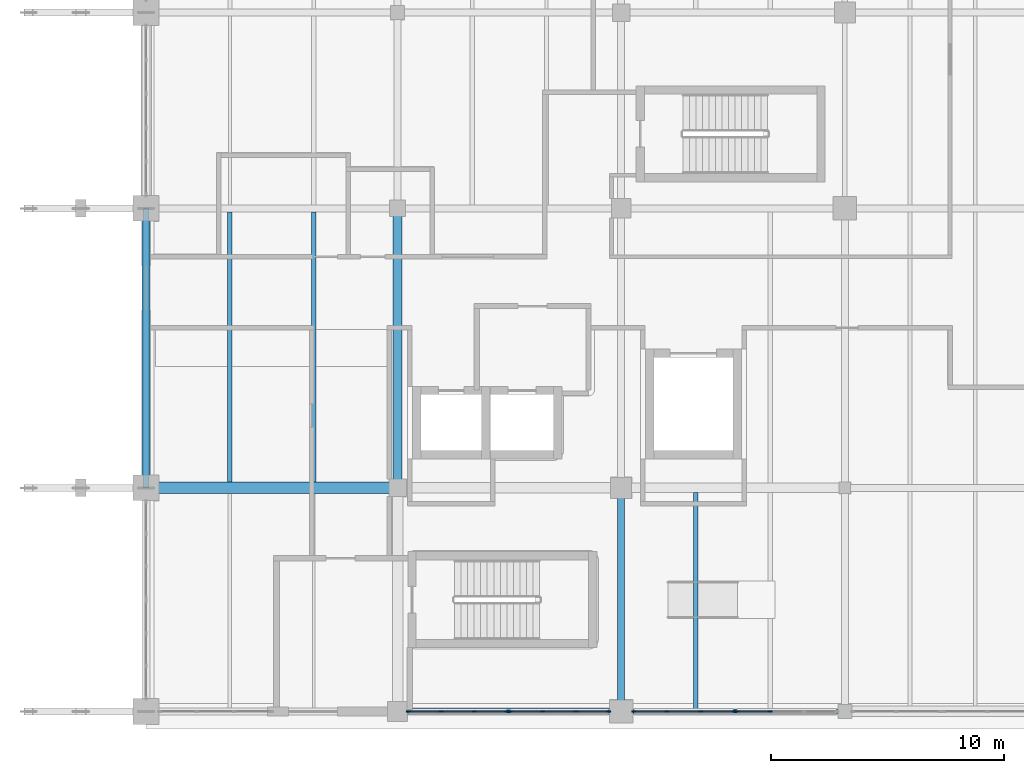
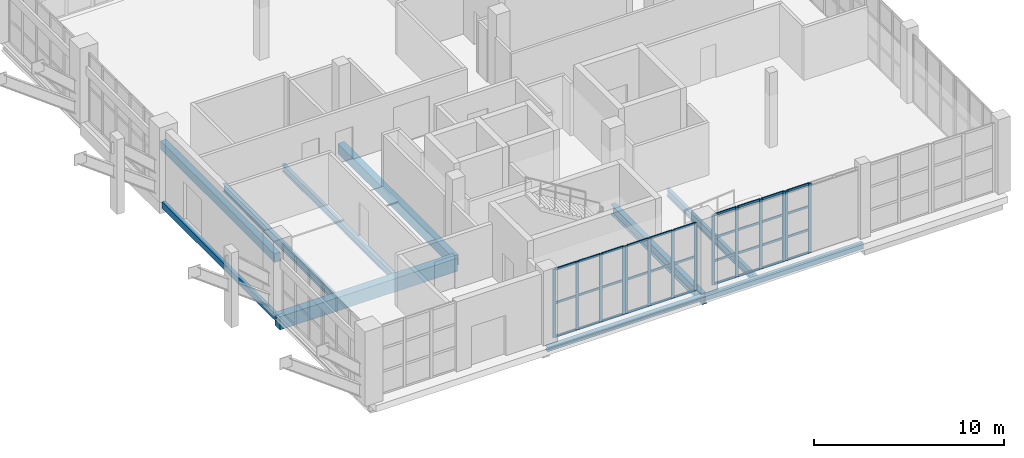
# One storey, part 5 of 121: 48 members, 10 beams, 4 elements without a shape of their own.
"""IFC4 building model written with IfcOpenShell, lengths in metres."""

from ifc_helpers import new_model, si_unit, direction, frame, origin, origin_2d, place, context, subcontext, project, spatial, rectangle, hollow_rectangle, i_section, extrude, material, layer, layer_set, material_profile, profile_set, type_object, element, aggregate, save


model = new_model("IFC4")

# Units and contexts
model_context = context("Model", 3, precision=1e-05, world=origin(), true_north=direction((0.0, 1.0)))
body_context = subcontext(model_context, "Body", "Model", "MODEL_VIEW")
ifc_project = project(units=[si_unit("LENGTHUNIT", "METRE"), si_unit("AREAUNIT", "SQUARE_METRE"), si_unit("VOLUMEUNIT", "CUBIC_METRE"), si_unit("PLANEANGLEUNIT", "RADIAN"), si_unit("MASSUNIT", "GRAM", prefix="KILO")], contexts=[model_context])

# Site, building, storey
site_placement = place(None, origin())
site = spatial("IfcSite", under=ifc_project, at=site_placement, CompositionType="ELEMENT")
building_placement = place(site_placement, origin())
building = spatial("IfcBuilding", under=site, at=building_placement, Name="Zereglee Splitstone Museum", CompositionType="ELEMENT")
storey_placement = place(building_placement, origin())
storey = spatial("IfcBuildingStorey", under=building, at=storey_placement, Name="L00", CompositionType="ELEMENT", Elevation=0.0)

# Beams
ifc_material_1 = material(Name="Concrete C40/50", Category="concrete")
ifc_material_profile_1 = material_profile(ifc_material_1, rectangle(XDim=0.39990234375, YDim=0.64990234375, at=origin_2d()), Name="RC 400x650")
ifc_profile_set_1 = profile_set([ifc_material_profile_1], Name="Concrete C40/50")
beam_type_1 = type_object("IfcBeamType", Name="BG-04", PredefinedType="BEAM", material=ifc_profile_set_1)
beam_1_placement = place(storey_placement, frame((20.39990234375, 9.60009765625, -0.7451171875), z_axis=(0.0, 1.0, 0.0), x_axis=(-1.0, 0.0, 0.0)))
element("IfcBeam", 1, at=beam_1_placement, inside=storey, type_object=beam_type_1, Name="Primary Girder L00 4 (9.6-21.6)", PredefinedType="BEAM", context=body_context, shape_type="SweptSolid", body=[
    extrude(rectangle(XDim=0.39990234375, YDim=0.64990234375, at=origin_2d()), origin(), (0.0, 0.0, 1.0), 12.0),
])
ifc_material_profile_2 = material_profile(ifc_material_1, rectangle(XDim=0.5, YDim=0.85009765625, at=origin_2d()), Name="RC 500x850")
ifc_profile_set_2 = profile_set([ifc_material_profile_2], Name="Concrete C40/50")
beam_type_2 = type_object("IfcBeamType", Name="BG-02", PredefinedType="BEAM", material=ifc_profile_set_2)
beam_2_placement = place(storey_placement, frame((9.60009765625, 9.60009765625, -0.844970703125), z_axis=(1.0, 0.0, 0.0), x_axis=(0.0, 1.0, 0.0)))
element("IfcBeam", 2, at=beam_2_placement, inside=storey, type_object=beam_type_2, Name="Primary Girder L00 B (9.6-20.4)", PredefinedType="BEAM", context=body_context, shape_type="SweptSolid", body=[
    extrude(rectangle(XDim=0.5, YDim=0.85009765625, at=origin_2d()), origin(), (0.0, 0.0, 1.0), 10.7998046875),
])

# Curtain wall, members
ifc_material_2 = material(Name="Triple-glazed low-E argon glass and bronze-anodised aluminium", Category="aluminium")
ifc_layer_1 = layer(ifc_material_2, 0.179931640625)
ifc_layer_set_1 = layer_set([ifc_layer_1], Name="Triple-glazed low-E argon glass and bronze-anodised aluminium")
curtain_wall_type_1 = type_object("IfcCurtainWallType", Name="CW-0429-438", PredefinedType="USERDEFINED", material=ifc_layer_set_1)
curtain_wall_1_placement = place(storey_placement, origin())
curtain_wall_1 = element("IfcCurtainWall", 3, at=curtain_wall_1_placement, inside=storey, type_object=curtain_wall_type_1, Name="Glazed Curtain Wall CW-0429-438 (L00)", ObjectType="GLAZED CURTAIN WALL", PredefinedType="USERDEFINED")
ifc_material_3 = material(Name="Thermally broken bronze-anodised aluminium", Category="aluminium")
ifc_material_profile_3 = material_profile(ifc_material_3, rectangle(XDim=0.06494140625, YDim=0.179931640625, at=origin_2d()), Name="CW MULL 65x180")
ifc_profile_set_3 = profile_set([ifc_material_profile_3], Name="Thermally broken bronze-anodised aluminium")
member_type_1 = type_object("IfcMemberType", Name="CWM-01", PredefinedType="MULLION", material=ifc_profile_set_3)
member_1_placement = place(storey_placement, frame((20.865478515625, 0.0, 0.0), z_axis=(0.0, 0.0, 1.0), x_axis=(0.0, 1.0, 0.0)))
member_1 = element("IfcMember", 4, at=member_1_placement, type_object=member_type_1, Name="CW-0429-438 mullion 1", PredefinedType="MULLION", context=body_context, shape_type="SweptSolid", body=[
    extrude(rectangle(XDim=0.06494140625, YDim=0.179931640625, at=origin_2d()), origin(), (0.0, 0.0, 1.0), 4.3798828125),
])
member_2_placement = place(storey_placement, frame((22.262939453125, 0.0, 0.0), z_axis=(0.0, 0.0, 1.0), x_axis=(0.0, 1.0, 0.0)))
member_2 = element("IfcMember", 5, at=member_2_placement, type_object=member_type_1, Name="CW-0429-438 mullion 2", PredefinedType="MULLION", context=body_context, shape_type="SweptSolid", body=[
    extrude(rectangle(XDim=0.06494140625, YDim=0.179931640625, at=origin_2d()), origin(), (0.0, 0.0, 1.0), 4.3798828125),
])
member_3_placement = place(storey_placement, frame((23.692626953125, 0.0, 0.0), z_axis=(0.0, 0.0, 1.0), x_axis=(0.0, 1.0, 0.0)))
member_3 = element("IfcMember", 6, at=member_3_placement, type_object=member_type_1, Name="CW-0429-438 mullion 3", PredefinedType="MULLION", context=body_context, shape_type="SweptSolid", body=[
    extrude(rectangle(XDim=0.06494140625, YDim=0.179931640625, at=origin_2d()), origin(), (0.0, 0.0, 1.0), 4.3798828125),
])
member_4_placement = place(storey_placement, frame((25.090087890625, 0.0, 0.0), z_axis=(0.0, 0.0, 1.0), x_axis=(0.0, 1.0, 0.0)))
member_4 = element("IfcMember", 7, at=member_4_placement, type_object=member_type_1, Name="CW-0429-438 mullion 4", PredefinedType="MULLION", context=body_context, shape_type="SweptSolid", body=[
    extrude(rectangle(XDim=0.06494140625, YDim=0.179931640625, at=origin_2d()), origin(), (0.0, 0.0, 1.0), 4.3798828125),
])

ifc_layer_2 = layer(ifc_material_2, 0.179931640625)
ifc_layer_set_2 = layer_set([ifc_layer_2], Name="Triple-glazed low-E argon glass and bronze-anodised aluminium")
curtain_wall_type_2 = type_object("IfcCurtainWallType", Name="CW-0429-436", PredefinedType="USERDEFINED", material=ifc_layer_set_2)
curtain_wall_2_placement = place(storey_placement, origin())
curtain_wall_2 = element("IfcCurtainWall", 8, at=curtain_wall_2_placement, inside=storey, type_object=curtain_wall_type_2, Name="Glazed Curtain Wall CW-0429-436 (L00)", ObjectType="GLAZED CURTAIN WALL", PredefinedType="USERDEFINED")
member_5_placement = place(storey_placement, frame((25.235107421875, 0.0, 0.0), z_axis=(0.0, 0.0, 1.0), x_axis=(0.0, 1.0, 0.0)))
member_5 = element("IfcMember", 9, at=member_5_placement, type_object=member_type_1, Name="CW-0429-436 mullion 1", PredefinedType="MULLION", context=body_context, shape_type="SweptSolid", body=[
    extrude(rectangle(XDim=0.06494140625, YDim=0.179931640625, at=origin_2d()), origin(), (0.0, 0.0, 1.0), 4.360107421875),
])
member_6_placement = place(storey_placement, frame((26.63232421875, 0.0, 0.0), z_axis=(0.0, 0.0, 1.0), x_axis=(0.0, 1.0, 0.0)))
member_6 = element("IfcMember", 10, at=member_6_placement, type_object=member_type_1, Name="CW-0429-436 mullion 2", PredefinedType="MULLION", context=body_context, shape_type="SweptSolid", body=[
    extrude(rectangle(XDim=0.06494140625, YDim=0.179931640625, at=origin_2d()), origin(), (0.0, 0.0, 1.0), 4.360107421875),
])
member_7_placement = place(storey_placement, frame((28.062255859375, 0.0, 0.0), z_axis=(0.0, 0.0, 1.0), x_axis=(0.0, 1.0, 0.0)))
member_7 = element("IfcMember", 11, at=member_7_placement, type_object=member_type_1, Name="CW-0429-436 mullion 3", PredefinedType="MULLION", context=body_context, shape_type="SweptSolid", body=[
    extrude(rectangle(XDim=0.06494140625, YDim=0.179931640625, at=origin_2d()), origin(), (0.0, 0.0, 1.0), 4.360107421875),
])
member_8_placement = place(storey_placement, frame((29.45947265625, 0.0, 0.0), z_axis=(0.0, 0.0, 1.0), x_axis=(0.0, 1.0, 0.0)))
member_8 = element("IfcMember", 12, at=member_8_placement, type_object=member_type_1, Name="CW-0429-436 mullion 4", PredefinedType="MULLION", context=body_context, shape_type="SweptSolid", body=[
    extrude(rectangle(XDim=0.06494140625, YDim=0.179931640625, at=origin_2d()), origin(), (0.0, 0.0, 1.0), 4.360107421875),
])

ifc_layer_3 = layer(ifc_material_2, 0.179931640625)
ifc_layer_set_3 = layer_set([ifc_layer_3], Name="Triple-glazed low-E argon glass and bronze-anodised aluminium")
curtain_wall_type_3 = type_object("IfcCurtainWallType", Name="CW-0435-450", PredefinedType="USERDEFINED", material=ifc_layer_set_3)
curtain_wall_3_placement = place(storey_placement, origin())
curtain_wall_3 = element("IfcCurtainWall", 13, at=curtain_wall_3_placement, inside=storey, type_object=curtain_wall_type_3, Name="Glazed Curtain Wall CW-0435-450 (L00)", ObjectType="GLAZED CURTAIN WALL", PredefinedType="USERDEFINED")
member_9_placement = place(storey_placement, frame((30.54052734375, 0.0, 0.0), z_axis=(0.0, 0.0, 1.0), x_axis=(0.0, 1.0, 0.0)))
member_9 = element("IfcMember", 14, at=member_9_placement, type_object=member_type_1, Name="CW-0435-450 mullion 1", PredefinedType="MULLION", context=body_context, shape_type="SweptSolid", body=[
    extrude(rectangle(XDim=0.06494140625, YDim=0.179931640625, at=origin_2d()), origin(), (0.0, 0.0, 1.0), 4.5),
])
member_10_placement = place(storey_placement, frame((31.958740234375, 0.0, 0.0), z_axis=(0.0, 0.0, 1.0), x_axis=(0.0, 1.0, 0.0)))
member_10 = element("IfcMember", 15, at=member_10_placement, type_object=member_type_1, Name="CW-0435-450 mullion 2", PredefinedType="MULLION", context=body_context, shape_type="SweptSolid", body=[
    extrude(rectangle(XDim=0.06494140625, YDim=0.179931640625, at=origin_2d()), origin(), (0.0, 0.0, 1.0), 4.5),
])
member_11_placement = place(storey_placement, frame((33.409423828125, 0.0, 0.0), z_axis=(0.0, 0.0, 1.0), x_axis=(0.0, 1.0, 0.0)))
member_11 = element("IfcMember", 16, at=member_11_placement, type_object=member_type_1, Name="CW-0435-450 mullion 3", PredefinedType="MULLION", context=body_context, shape_type="SweptSolid", body=[
    extrude(rectangle(XDim=0.06494140625, YDim=0.179931640625, at=origin_2d()), origin(), (0.0, 0.0, 1.0), 4.5),
])
member_12_placement = place(storey_placement, frame((34.827392578125, 0.0, 0.0), z_axis=(0.0, 0.0, 1.0), x_axis=(0.0, 1.0, 0.0)))
member_12 = element("IfcMember", 17, at=member_12_placement, type_object=member_type_1, Name="CW-0435-450 mullion 4", PredefinedType="MULLION", context=body_context, shape_type="SweptSolid", body=[
    extrude(rectangle(XDim=0.06494140625, YDim=0.179931640625, at=origin_2d()), origin(), (0.0, 0.0, 1.0), 4.5),
])

ifc_layer_4 = layer(ifc_material_2, 0.179931640625)
ifc_layer_set_4 = layer_set([ifc_layer_4], Name="Triple-glazed low-E argon glass and bronze-anodised aluminium")
curtain_wall_type_4 = type_object("IfcCurtainWallType", Name="CW-0435-448", PredefinedType="USERDEFINED", material=ifc_layer_set_4)
curtain_wall_4_placement = place(storey_placement, origin())
curtain_wall_4 = element("IfcCurtainWall", 18, at=curtain_wall_4_placement, inside=storey, type_object=curtain_wall_type_4, Name="Glazed Curtain Wall CW-0435-448 (L00)", ObjectType="GLAZED CURTAIN WALL", PredefinedType="USERDEFINED")
member_13_placement = place(storey_placement, frame((34.972412109375, 0.0, 0.0), z_axis=(0.0, 0.0, 1.0), x_axis=(0.0, 1.0, 0.0)))
member_13 = element("IfcMember", 19, at=member_13_placement, type_object=member_type_1, Name="CW-0435-448 mullion 1", PredefinedType="MULLION", context=body_context, shape_type="SweptSolid", body=[
    extrude(rectangle(XDim=0.06494140625, YDim=0.179931640625, at=origin_2d()), origin(), (0.0, 0.0, 1.0), 4.47998046875),
])
member_14_placement = place(storey_placement, frame((36.390625, 0.0, 0.0), z_axis=(0.0, 0.0, 1.0), x_axis=(0.0, 1.0, 0.0)))
member_14 = element("IfcMember", 20, at=member_14_placement, type_object=member_type_1, Name="CW-0435-448 mullion 2", PredefinedType="MULLION", context=body_context, shape_type="SweptSolid", body=[
    extrude(rectangle(XDim=0.06494140625, YDim=0.179931640625, at=origin_2d()), origin(), (0.0, 0.0, 1.0), 4.47998046875),
])

# Member
ifc_material_profile_4 = material_profile(ifc_material_3, rectangle(XDim=0.06494140625, YDim=0.139892578125, at=origin_2d()), Name="CW TRAN 65x140")
ifc_profile_set_4 = profile_set([ifc_material_profile_4], Name="Thermally broken bronze-anodised aluminium")
member_type_2 = type_object("IfcMemberType", Name="CWT-01", PredefinedType="USERDEFINED", material=ifc_profile_set_4)
member_15_placement = place(storey_placement, frame((20.89794921875, 0.0, 0.032470703125), z_axis=(1.0, 0.0, 0.0), x_axis=(0.0, 1.0, 0.0)))
member_15 = element("IfcMember", 21, at=member_15_placement, type_object=member_type_2, Name="CW-0429-438 transom 1.1", ObjectType="TRANSOM", PredefinedType="USERDEFINED", context=body_context, shape_type="SweptSolid", body=[
    extrude(rectangle(XDim=0.06494140625, YDim=0.139892578125, at=origin_2d()), origin(), (0.0, 0.0, 1.0), 1.332275390625),
])

member_16_placement = place(storey_placement, frame((20.89794921875, 0.0, 2.18994140625), z_axis=(1.0, 0.0, 0.0), x_axis=(0.0, 1.0, 0.0)))
member_16 = element("IfcMember", 22, at=member_16_placement, type_object=member_type_2, Name="CW-0429-438 transom 1.2", ObjectType="TRANSOM", PredefinedType="USERDEFINED", context=body_context, shape_type="SweptSolid", body=[
    extrude(rectangle(XDim=0.06494140625, YDim=0.139892578125, at=origin_2d()), origin(), (0.0, 0.0, 1.0), 1.332275390625),
])

member_17_placement = place(storey_placement, frame((20.89794921875, 0.0, 4.347412109375), z_axis=(1.0, 0.0, 0.0), x_axis=(0.0, 1.0, 0.0)))
member_17 = element("IfcMember", 23, at=member_17_placement, type_object=member_type_2, Name="CW-0429-438 transom 1.3", ObjectType="TRANSOM", PredefinedType="USERDEFINED", context=body_context, shape_type="SweptSolid", body=[
    extrude(rectangle(XDim=0.06494140625, YDim=0.139892578125, at=origin_2d()), origin(), (0.0, 0.0, 1.0), 1.332275390625),
])

member_18_placement = place(storey_placement, frame((22.29541015625, 0.0, 0.032470703125), z_axis=(1.0, 0.0, 0.0), x_axis=(0.0, 1.0, 0.0)))
member_18 = element("IfcMember", 24, at=member_18_placement, type_object=member_type_2, Name="CW-0429-438 transom 2.1", ObjectType="TRANSOM", PredefinedType="USERDEFINED", context=body_context, shape_type="SweptSolid", body=[
    extrude(rectangle(XDim=0.06494140625, YDim=0.139892578125, at=origin_2d()), origin(), (0.0, 0.0, 1.0), 1.36474609375),
])

member_19_placement = place(storey_placement, frame((22.29541015625, 0.0, 2.18994140625), z_axis=(1.0, 0.0, 0.0), x_axis=(0.0, 1.0, 0.0)))
member_19 = element("IfcMember", 25, at=member_19_placement, type_object=member_type_2, Name="CW-0429-438 transom 2.2", ObjectType="TRANSOM", PredefinedType="USERDEFINED", context=body_context, shape_type="SweptSolid", body=[
    extrude(rectangle(XDim=0.06494140625, YDim=0.139892578125, at=origin_2d()), origin(), (0.0, 0.0, 1.0), 1.36474609375),
])

member_20_placement = place(storey_placement, frame((22.29541015625, 0.0, 4.347412109375), z_axis=(1.0, 0.0, 0.0), x_axis=(0.0, 1.0, 0.0)))
member_20 = element("IfcMember", 26, at=member_20_placement, type_object=member_type_2, Name="CW-0429-438 transom 2.3", ObjectType="TRANSOM", PredefinedType="USERDEFINED", context=body_context, shape_type="SweptSolid", body=[
    extrude(rectangle(XDim=0.06494140625, YDim=0.139892578125, at=origin_2d()), origin(), (0.0, 0.0, 1.0), 1.36474609375),
])

member_21_placement = place(storey_placement, frame((23.72509765625, 0.0, 0.032470703125), z_axis=(1.0, 0.0, 0.0), x_axis=(0.0, 1.0, 0.0)))
member_21 = element("IfcMember", 27, at=member_21_placement, type_object=member_type_2, Name="CW-0429-438 transom 3.1", ObjectType="TRANSOM", PredefinedType="USERDEFINED", context=body_context, shape_type="SweptSolid", body=[
    extrude(rectangle(XDim=0.06494140625, YDim=0.139892578125, at=origin_2d()), origin(), (0.0, 0.0, 1.0), 1.33251953125),
])

member_22_placement = place(storey_placement, frame((23.72509765625, 0.0, 2.18994140625), z_axis=(1.0, 0.0, 0.0), x_axis=(0.0, 1.0, 0.0)))
member_22 = element("IfcMember", 28, at=member_22_placement, type_object=member_type_2, Name="CW-0429-438 transom 3.2", ObjectType="TRANSOM", PredefinedType="USERDEFINED", context=body_context, shape_type="SweptSolid", body=[
    extrude(rectangle(XDim=0.06494140625, YDim=0.139892578125, at=origin_2d()), origin(), (0.0, 0.0, 1.0), 1.33251953125),
])

member_23_placement = place(storey_placement, frame((23.72509765625, 0.0, 4.347412109375), z_axis=(1.0, 0.0, 0.0), x_axis=(0.0, 1.0, 0.0)))
member_23 = element("IfcMember", 29, at=member_23_placement, type_object=member_type_2, Name="CW-0429-438 transom 3.3", ObjectType="TRANSOM", PredefinedType="USERDEFINED", context=body_context, shape_type="SweptSolid", body=[
    extrude(rectangle(XDim=0.06494140625, YDim=0.139892578125, at=origin_2d()), origin(), (0.0, 0.0, 1.0), 1.33251953125),
])

aggregate(curtain_wall_1, [member_1, member_2, member_3, member_4, member_15, member_16, member_17, member_18, member_19, member_20, member_21, member_22, member_23])

member_24_placement = place(storey_placement, frame((25.267578125, 0.0, 0.032470703125), z_axis=(1.0, 0.0, 0.0), x_axis=(0.0, 1.0, 0.0)))
member_24 = element("IfcMember", 30, at=member_24_placement, type_object=member_type_2, Name="CW-0429-436 transom 1.1", ObjectType="TRANSOM", PredefinedType="USERDEFINED", context=body_context, shape_type="SweptSolid", body=[
    extrude(rectangle(XDim=0.06494140625, YDim=0.139892578125, at=origin_2d()), origin(), (0.0, 0.0, 1.0), 1.332275390625),
])

member_25_placement = place(storey_placement, frame((25.267578125, 0.0, 2.179931640625), z_axis=(1.0, 0.0, 0.0), x_axis=(0.0, 1.0, 0.0)))
member_25 = element("IfcMember", 31, at=member_25_placement, type_object=member_type_2, Name="CW-0429-436 transom 1.2", ObjectType="TRANSOM", PredefinedType="USERDEFINED", context=body_context, shape_type="SweptSolid", body=[
    extrude(rectangle(XDim=0.06494140625, YDim=0.139892578125, at=origin_2d()), origin(), (0.0, 0.0, 1.0), 1.332275390625),
])

member_26_placement = place(storey_placement, frame((25.267578125, 0.0, 4.327392578125), z_axis=(1.0, 0.0, 0.0), x_axis=(0.0, 1.0, 0.0)))
member_26 = element("IfcMember", 32, at=member_26_placement, type_object=member_type_2, Name="CW-0429-436 transom 1.3", ObjectType="TRANSOM", PredefinedType="USERDEFINED", context=body_context, shape_type="SweptSolid", body=[
    extrude(rectangle(XDim=0.06494140625, YDim=0.139892578125, at=origin_2d()), origin(), (0.0, 0.0, 1.0), 1.332275390625),
])

member_27_placement = place(storey_placement, frame((26.664794921875, 0.0, 0.032470703125), z_axis=(1.0, 0.0, 0.0), x_axis=(0.0, 1.0, 0.0)))
member_27 = element("IfcMember", 33, at=member_27_placement, type_object=member_type_2, Name="CW-0429-436 transom 2.1", ObjectType="TRANSOM", PredefinedType="USERDEFINED", context=body_context, shape_type="SweptSolid", body=[
    extrude(rectangle(XDim=0.06494140625, YDim=0.139892578125, at=origin_2d()), origin(), (0.0, 0.0, 1.0), 1.364990234375),
])

member_28_placement = place(storey_placement, frame((26.664794921875, 0.0, 2.179931640625), z_axis=(1.0, 0.0, 0.0), x_axis=(0.0, 1.0, 0.0)))
member_28 = element("IfcMember", 34, at=member_28_placement, type_object=member_type_2, Name="CW-0429-436 transom 2.2", ObjectType="TRANSOM", PredefinedType="USERDEFINED", context=body_context, shape_type="SweptSolid", body=[
    extrude(rectangle(XDim=0.06494140625, YDim=0.139892578125, at=origin_2d()), origin(), (0.0, 0.0, 1.0), 1.364990234375),
])

member_29_placement = place(storey_placement, frame((26.664794921875, 0.0, 4.327392578125), z_axis=(1.0, 0.0, 0.0), x_axis=(0.0, 1.0, 0.0)))
member_29 = element("IfcMember", 35, at=member_29_placement, type_object=member_type_2, Name="CW-0429-436 transom 2.3", ObjectType="TRANSOM", PredefinedType="USERDEFINED", context=body_context, shape_type="SweptSolid", body=[
    extrude(rectangle(XDim=0.06494140625, YDim=0.139892578125, at=origin_2d()), origin(), (0.0, 0.0, 1.0), 1.364990234375),
])

member_30_placement = place(storey_placement, frame((28.0947265625, 0.0, 0.032470703125), z_axis=(1.0, 0.0, 0.0), x_axis=(0.0, 1.0, 0.0)))
member_30 = element("IfcMember", 36, at=member_30_placement, type_object=member_type_2, Name="CW-0429-436 transom 3.1", ObjectType="TRANSOM", PredefinedType="USERDEFINED", context=body_context, shape_type="SweptSolid", body=[
    extrude(rectangle(XDim=0.06494140625, YDim=0.139892578125, at=origin_2d()), origin(), (0.0, 0.0, 1.0), 1.332275390625),
])

member_31_placement = place(storey_placement, frame((28.0947265625, 0.0, 2.179931640625), z_axis=(1.0, 0.0, 0.0), x_axis=(0.0, 1.0, 0.0)))
member_31 = element("IfcMember", 37, at=member_31_placement, type_object=member_type_2, Name="CW-0429-436 transom 3.2", ObjectType="TRANSOM", PredefinedType="USERDEFINED", context=body_context, shape_type="SweptSolid", body=[
    extrude(rectangle(XDim=0.06494140625, YDim=0.139892578125, at=origin_2d()), origin(), (0.0, 0.0, 1.0), 1.332275390625),
])

member_32_placement = place(storey_placement, frame((28.0947265625, 0.0, 4.327392578125), z_axis=(1.0, 0.0, 0.0), x_axis=(0.0, 1.0, 0.0)))
member_32 = element("IfcMember", 38, at=member_32_placement, type_object=member_type_2, Name="CW-0429-436 transom 3.3", ObjectType="TRANSOM", PredefinedType="USERDEFINED", context=body_context, shape_type="SweptSolid", body=[
    extrude(rectangle(XDim=0.06494140625, YDim=0.139892578125, at=origin_2d()), origin(), (0.0, 0.0, 1.0), 1.332275390625),
])

aggregate(curtain_wall_2, [member_5, member_6, member_7, member_8, member_24, member_25, member_26, member_27, member_28, member_29, member_30, member_31, member_32])

member_33_placement = place(storey_placement, frame((30.572998046875, 0.0, 0.032470703125), z_axis=(1.0, 0.0, 0.0), x_axis=(0.0, 1.0, 0.0)))
member_33 = element("IfcMember", 39, at=member_33_placement, type_object=member_type_2, Name="CW-0435-450 transom 1.1", ObjectType="TRANSOM", PredefinedType="USERDEFINED", context=body_context, shape_type="SweptSolid", body=[
    extrude(rectangle(XDim=0.06494140625, YDim=0.139892578125, at=origin_2d()), origin(), (0.0, 0.0, 1.0), 1.353271484375),
])

member_34_placement = place(storey_placement, frame((30.572998046875, 0.0, 1.5), z_axis=(1.0, 0.0, 0.0), x_axis=(0.0, 1.0, 0.0)))
member_34 = element("IfcMember", 40, at=member_34_placement, type_object=member_type_2, Name="CW-0435-450 transom 1.2", ObjectType="TRANSOM", PredefinedType="USERDEFINED", context=body_context, shape_type="SweptSolid", body=[
    extrude(rectangle(XDim=0.06494140625, YDim=0.139892578125, at=origin_2d()), origin(), (0.0, 0.0, 1.0), 1.353271484375),
])

member_35_placement = place(storey_placement, frame((30.572998046875, 0.0, 3.0), z_axis=(1.0, 0.0, 0.0), x_axis=(0.0, 1.0, 0.0)))
member_35 = element("IfcMember", 41, at=member_35_placement, type_object=member_type_2, Name="CW-0435-450 transom 1.3", ObjectType="TRANSOM", PredefinedType="USERDEFINED", context=body_context, shape_type="SweptSolid", body=[
    extrude(rectangle(XDim=0.06494140625, YDim=0.139892578125, at=origin_2d()), origin(), (0.0, 0.0, 1.0), 1.353271484375),
])

member_36_placement = place(storey_placement, frame((30.572998046875, 0.0, 4.467529296875), z_axis=(1.0, 0.0, 0.0), x_axis=(0.0, 1.0, 0.0)))
member_36 = element("IfcMember", 42, at=member_36_placement, type_object=member_type_2, Name="CW-0435-450 transom 1.4", ObjectType="TRANSOM", PredefinedType="USERDEFINED", context=body_context, shape_type="SweptSolid", body=[
    extrude(rectangle(XDim=0.06494140625, YDim=0.139892578125, at=origin_2d()), origin(), (0.0, 0.0, 1.0), 1.353271484375),
])

member_37_placement = place(storey_placement, frame((31.9912109375, 0.0, 0.032470703125), z_axis=(1.0, 0.0, 0.0), x_axis=(0.0, 1.0, 0.0)))
member_37 = element("IfcMember", 43, at=member_37_placement, type_object=member_type_2, Name="CW-0435-450 transom 2.1", ObjectType="TRANSOM", PredefinedType="USERDEFINED", context=body_context, shape_type="SweptSolid", body=[
    extrude(rectangle(XDim=0.06494140625, YDim=0.139892578125, at=origin_2d()), origin(), (0.0, 0.0, 1.0), 1.3857421875),
])

member_38_placement = place(storey_placement, frame((31.9912109375, 0.0, 1.5), z_axis=(1.0, 0.0, 0.0), x_axis=(0.0, 1.0, 0.0)))
member_38 = element("IfcMember", 44, at=member_38_placement, type_object=member_type_2, Name="CW-0435-450 transom 2.2", ObjectType="TRANSOM", PredefinedType="USERDEFINED", context=body_context, shape_type="SweptSolid", body=[
    extrude(rectangle(XDim=0.06494140625, YDim=0.139892578125, at=origin_2d()), origin(), (0.0, 0.0, 1.0), 1.3857421875),
])

member_39_placement = place(storey_placement, frame((31.9912109375, 0.0, 3.0), z_axis=(1.0, 0.0, 0.0), x_axis=(0.0, 1.0, 0.0)))
member_39 = element("IfcMember", 45, at=member_39_placement, type_object=member_type_2, Name="CW-0435-450 transom 2.3", ObjectType="TRANSOM", PredefinedType="USERDEFINED", context=body_context, shape_type="SweptSolid", body=[
    extrude(rectangle(XDim=0.06494140625, YDim=0.139892578125, at=origin_2d()), origin(), (0.0, 0.0, 1.0), 1.3857421875),
])

member_40_placement = place(storey_placement, frame((31.9912109375, 0.0, 4.467529296875), z_axis=(1.0, 0.0, 0.0), x_axis=(0.0, 1.0, 0.0)))
member_40 = element("IfcMember", 46, at=member_40_placement, type_object=member_type_2, Name="CW-0435-450 transom 2.4", ObjectType="TRANSOM", PredefinedType="USERDEFINED", context=body_context, shape_type="SweptSolid", body=[
    extrude(rectangle(XDim=0.06494140625, YDim=0.139892578125, at=origin_2d()), origin(), (0.0, 0.0, 1.0), 1.3857421875),
])

member_41_placement = place(storey_placement, frame((33.44189453125, 0.0, 0.032470703125), z_axis=(1.0, 0.0, 0.0), x_axis=(0.0, 1.0, 0.0)))
member_41 = element("IfcMember", 47, at=member_41_placement, type_object=member_type_2, Name="CW-0435-450 transom 3.1", ObjectType="TRANSOM", PredefinedType="USERDEFINED", context=body_context, shape_type="SweptSolid", body=[
    extrude(rectangle(XDim=0.06494140625, YDim=0.139892578125, at=origin_2d()), origin(), (0.0, 0.0, 1.0), 1.35302734375),
])

member_42_placement = place(storey_placement, frame((33.44189453125, 0.0, 1.5), z_axis=(1.0, 0.0, 0.0), x_axis=(0.0, 1.0, 0.0)))
member_42 = element("IfcMember", 48, at=member_42_placement, type_object=member_type_2, Name="CW-0435-450 transom 3.2", ObjectType="TRANSOM", PredefinedType="USERDEFINED", context=body_context, shape_type="SweptSolid", body=[
    extrude(rectangle(XDim=0.06494140625, YDim=0.139892578125, at=origin_2d()), origin(), (0.0, 0.0, 1.0), 1.35302734375),
])

member_43_placement = place(storey_placement, frame((33.44189453125, 0.0, 3.0), z_axis=(1.0, 0.0, 0.0), x_axis=(0.0, 1.0, 0.0)))
member_43 = element("IfcMember", 49, at=member_43_placement, type_object=member_type_2, Name="CW-0435-450 transom 3.3", ObjectType="TRANSOM", PredefinedType="USERDEFINED", context=body_context, shape_type="SweptSolid", body=[
    extrude(rectangle(XDim=0.06494140625, YDim=0.139892578125, at=origin_2d()), origin(), (0.0, 0.0, 1.0), 1.35302734375),
])

member_44_placement = place(storey_placement, frame((33.44189453125, 0.0, 4.467529296875), z_axis=(1.0, 0.0, 0.0), x_axis=(0.0, 1.0, 0.0)))
member_44 = element("IfcMember", 50, at=member_44_placement, type_object=member_type_2, Name="CW-0435-450 transom 3.4", ObjectType="TRANSOM", PredefinedType="USERDEFINED", context=body_context, shape_type="SweptSolid", body=[
    extrude(rectangle(XDim=0.06494140625, YDim=0.139892578125, at=origin_2d()), origin(), (0.0, 0.0, 1.0), 1.35302734375),
])

aggregate(curtain_wall_3, [member_9, member_10, member_11, member_12, member_33, member_34, member_35, member_36, member_37, member_38, member_39, member_40, member_41, member_42, member_43, member_44])

member_45_placement = place(storey_placement, frame((35.0048828125, 0.0, 0.032470703125), z_axis=(1.0, 0.0, 0.0), x_axis=(0.0, 1.0, 0.0)))
member_45 = element("IfcMember", 51, at=member_45_placement, type_object=member_type_2, Name="CW-0435-448 transom 1.1", ObjectType="TRANSOM", PredefinedType="USERDEFINED", context=body_context, shape_type="SweptSolid", body=[
    extrude(rectangle(XDim=0.06494140625, YDim=0.139892578125, at=origin_2d()), origin(), (0.0, 0.0, 1.0), 1.353271484375),
])

member_46_placement = place(storey_placement, frame((35.0048828125, 0.0, 1.493408203125), z_axis=(1.0, 0.0, 0.0), x_axis=(0.0, 1.0, 0.0)))
member_46 = element("IfcMember", 52, at=member_46_placement, type_object=member_type_2, Name="CW-0435-448 transom 1.2", ObjectType="TRANSOM", PredefinedType="USERDEFINED", context=body_context, shape_type="SweptSolid", body=[
    extrude(rectangle(XDim=0.06494140625, YDim=0.139892578125, at=origin_2d()), origin(), (0.0, 0.0, 1.0), 1.353271484375),
])

member_47_placement = place(storey_placement, frame((35.0048828125, 0.0, 2.98681640625), z_axis=(1.0, 0.0, 0.0), x_axis=(0.0, 1.0, 0.0)))
member_47 = element("IfcMember", 53, at=member_47_placement, type_object=member_type_2, Name="CW-0435-448 transom 1.3", ObjectType="TRANSOM", PredefinedType="USERDEFINED", context=body_context, shape_type="SweptSolid", body=[
    extrude(rectangle(XDim=0.06494140625, YDim=0.139892578125, at=origin_2d()), origin(), (0.0, 0.0, 1.0), 1.353271484375),
])

member_48_placement = place(storey_placement, frame((35.0048828125, 0.0, 4.447509765625), z_axis=(1.0, 0.0, 0.0), x_axis=(0.0, 1.0, 0.0)))
member_48 = element("IfcMember", 54, at=member_48_placement, type_object=member_type_2, Name="CW-0435-448 transom 1.4", ObjectType="TRANSOM", PredefinedType="USERDEFINED", context=body_context, shape_type="SweptSolid", body=[
    extrude(rectangle(XDim=0.06494140625, YDim=0.139892578125, at=origin_2d()), origin(), (0.0, 0.0, 1.0), 1.353271484375),
])

aggregate(curtain_wall_4, [member_13, member_14, member_45, member_46, member_47, member_48])

# Beams
ifc_material_4 = material(Name="Steel S355J2", Category="steel")
ifc_material_profile_5 = material_profile(ifc_material_4, i_section(OverallWidth=0.300048828125, OverallDepth=0.64990234375, WebThickness=0.01611328125, FlangeThickness=0.031005859375, FilletRadius=0.027099609375, at=origin_2d()), Name="HE 650 B")
ifc_profile_set_5 = profile_set([ifc_material_profile_5], Name="Steel S355J2")
beam_type_3 = type_object("IfcBeamType", Name="BG-09", PredefinedType="BEAM", material=ifc_profile_set_5)
beam_3_placement = place(storey_placement, frame((30.0, 0.0, -0.7451171875), z_axis=(0.0, 1.0, 0.0), x_axis=(-1.0, 0.0, 0.0)))
element("IfcBeam", 55, at=beam_3_placement, inside=storey, type_object=beam_type_3, Name="Primary Girder L00 5 (0.0-9.6)", PredefinedType="BEAM", context=body_context, shape_type="SweptSolid", body=[
    extrude(i_section(OverallWidth=0.300048828125, OverallDepth=0.64990234375, WebThickness=0.01611328125, FlangeThickness=0.031005859375, FilletRadius=0.027099609375, at=origin_2d()), origin(), (0.0, 0.0, 1.0), 9.60009765625),
])
ifc_material_profile_6 = material_profile(ifc_material_4, i_section(OverallWidth=0.18994140625, OverallDepth=0.449951171875, WebThickness=0.009521484375, FlangeThickness=0.0146484375, FilletRadius=0.02099609375, at=origin_2d()), Name="IPE 450")
ifc_profile_set_6 = profile_set([ifc_material_profile_6], Name="Steel S355J2")
beam_type_4 = type_object("IfcBeamType", Name="BJ-02", PredefinedType="JOIST", material=ifc_profile_set_6)
beam_4_placement = place(storey_placement, frame((16.800048828125, 9.85009765625, -0.64501953125), z_axis=(0.0, 1.0, 0.0), x_axis=(-1.0, 0.0, 0.0)))
element("IfcBeam", 56, at=beam_4_placement, inside=storey, type_object=beam_type_4, Name="Secondary Floor Joist L00-0274", PredefinedType="JOIST", context=body_context, shape_type="SweptSolid", body=[
    extrude(i_section(OverallWidth=0.18994140625, OverallDepth=0.449951171875, WebThickness=0.009521484375, FlangeThickness=0.0146484375, FilletRadius=0.02099609375, at=origin_2d()), origin(), (0.0, 0.0, 1.0), 11.599853515625),
])
ifc_material_profile_7 = material_profile(ifc_material_4, i_section(OverallWidth=0.199951171875, OverallDepth=0.5, WebThickness=0.01025390625, FlangeThickness=0.01611328125, FilletRadius=0.02099609375, at=origin_2d()), Name="IPE 500")
ifc_profile_set_7 = profile_set([ifc_material_profile_7], Name="Steel S355J2")
beam_type_5 = type_object("IfcBeamType", Name="BJ-01", PredefinedType="JOIST", material=ifc_profile_set_7)
beam_5_placement = place(storey_placement, frame((33.199951171875, 0.10009765625, -0.669921875), z_axis=(0.0, 1.0, 0.0), x_axis=(-1.0, 0.0, 0.0)))
element("IfcBeam", 57, at=beam_5_placement, inside=storey, type_object=beam_type_5, Name="Secondary Floor Joist L00-0259", PredefinedType="JOIST", context=body_context, shape_type="SweptSolid", body=[
    extrude(i_section(OverallWidth=0.199951171875, OverallDepth=0.5, WebThickness=0.01025390625, FlangeThickness=0.01611328125, FilletRadius=0.02099609375, at=origin_2d()), origin(), (0.0, 0.0, 1.0), 9.2998046875),
])
beam_6_placement = place(storey_placement, frame((13.199951171875, 9.85009765625, -0.669921875), z_axis=(0.0, 1.0, 0.0), x_axis=(-1.0, 0.0, 0.0)))
element("IfcBeam", 58, at=beam_6_placement, inside=storey, type_object=beam_type_5, Name="Secondary Floor Joist L00-0273", PredefinedType="JOIST", context=body_context, shape_type="SweptSolid", body=[
    extrude(i_section(OverallWidth=0.199951171875, OverallDepth=0.5, WebThickness=0.01025390625, FlangeThickness=0.01611328125, FilletRadius=0.02099609375, at=origin_2d()), origin(), (0.0, 0.0, 1.0), 11.599853515625),
])
ifc_material_5 = material(Name="Precast concrete C40/50", Category="concrete")
ifc_material_profile_8 = material_profile(ifc_material_5, rectangle(XDim=0.35009765625, YDim=0.550048828125, at=origin_2d()), Name="RC 350x550")
ifc_profile_set_8 = profile_set([ifc_material_profile_8], Name="Precast concrete C40/50")
beam_type_6 = type_object("IfcBeamType", Name="LN-01", PredefinedType="LINTEL", material=ifc_profile_set_8)
beam_7_placement = place(storey_placement, frame((9.60009765625, 9.60009765625, 3.25), z_axis=(0.0, 1.0, 0.0), x_axis=(-1.0, 0.0, 0.0)))
element("IfcBeam", 59, at=beam_7_placement, inside=storey, type_object=beam_type_6, Name="Pishtaq Portal Lintel LNT-02", PredefinedType="LINTEL", context=body_context, shape_type="SweptSolid", body=[
    extrude(rectangle(XDim=0.35009765625, YDim=0.550048828125, at=origin_2d()), origin(), (0.0, 0.0, 1.0), 12.0),
])
ifc_material_profile_9 = material_profile(ifc_material_4, i_section(OverallWidth=0.280029296875, OverallDepth=0.280029296875, WebThickness=0.010498046875, FlangeThickness=0.01806640625, FilletRadius=0.02392578125, at=origin_2d()), Name="HE 280 B")
ifc_profile_set_9 = profile_set([ifc_material_profile_9], Name="Steel S355J2")
beam_type_7 = type_object("IfcBeamType", Name="SP-03", PredefinedType="SPANDREL", material=ifc_profile_set_9)
beam_8_placement = place(storey_placement, frame((20.39990234375, 0.0, -0.56005859375), z_axis=(1.0, 0.0, 0.0), x_axis=(0.0, 1.0, 0.0)))
element("IfcBeam", 60, at=beam_8_placement, inside=storey, type_object=beam_type_7, Name="Primary Girder L00 A (20.4-30.0)", PredefinedType="SPANDREL", context=body_context, shape_type="SweptSolid", body=[
    extrude(i_section(OverallWidth=0.280029296875, OverallDepth=0.280029296875, WebThickness=0.010498046875, FlangeThickness=0.01806640625, FilletRadius=0.02392578125, at=origin_2d()), origin(), (0.0, 0.0, 1.0), 9.60009765625),
])
ifc_material_6 = material(Name="Steel S355J2H", Category="steel")
ifc_material_profile_10 = material_profile(ifc_material_6, hollow_rectangle(XDim=0.199951171875, YDim=0.39990234375, WallThickness=0.01611328125, at=origin_2d()), Name="RHS 400x200x16")
ifc_profile_set_10 = profile_set([ifc_material_profile_10], Name="Steel S355J2H")
beam_type_8 = type_object("IfcBeamType", Name="SP-04", PredefinedType="SPANDREL", material=ifc_profile_set_10)
beam_9_placement = place(storey_placement, frame((30.0, 0.0, -0.6201171875), z_axis=(1.0, 0.0, 0.0), x_axis=(0.0, 1.0, 0.0)))
element("IfcBeam", 61, at=beam_9_placement, inside=storey, type_object=beam_type_8, Name="Primary Girder L00 A (30.0-39.6)", PredefinedType="SPANDREL", context=body_context, shape_type="SweptSolid", body=[
    extrude(hollow_rectangle(XDim=0.199951171875, YDim=0.39990234375, WallThickness=0.01611328125, at=origin_2d()), origin(), (0.0, 0.0, 1.0), 9.60009765625),
])
beam_10_placement = place(storey_placement, frame((9.60009765625, 9.60009765625, -0.6201171875), z_axis=(0.0, 1.0, 0.0), x_axis=(-1.0, 0.0, 0.0)))
element("IfcBeam", 62, at=beam_10_placement, inside=storey, type_object=beam_type_8, Name="Primary Girder L00 2 (9.6-21.6)", PredefinedType="SPANDREL", context=body_context, shape_type="SweptSolid", body=[
    extrude(hollow_rectangle(XDim=0.199951171875, YDim=0.39990234375, WallThickness=0.01611328125, at=origin_2d()), origin(), (0.0, 0.0, 1.0), 12.0),
])

save(model, "model.ifc")
